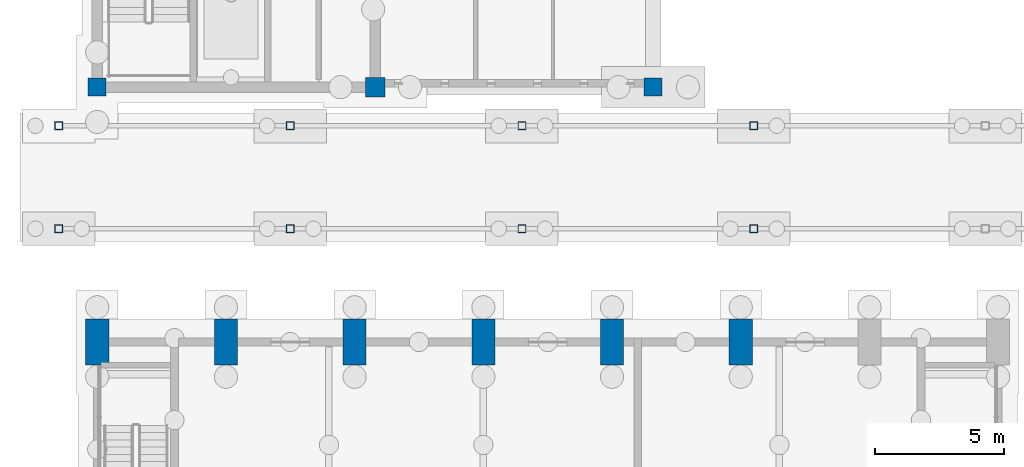
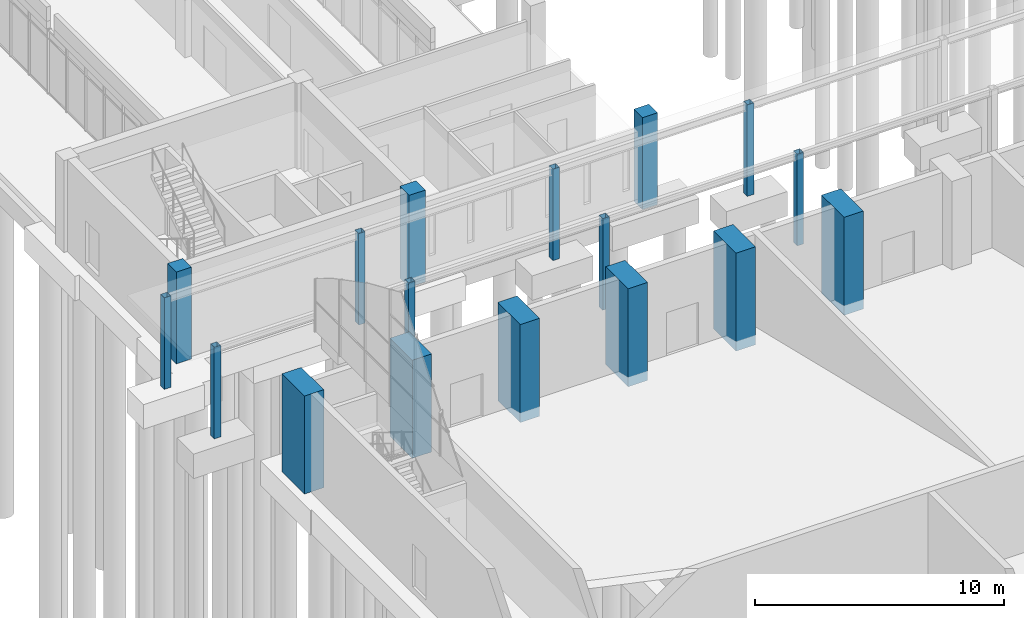
# One storey, part 11 of 106: 17 columns.
"""IFC4 building model written with IfcOpenShell, lengths in metres."""

from ifc_helpers import new_model, si_unit, direction, frame, origin, origin_2d, place, context, subcontext, project, spatial, rectangle, hollow_rectangle, extrude, material, material_profile, profile_set, type_object, element, save


model = new_model("IFC4")

# Units and contexts
model_context = context("Model", 3, precision=1e-05, world=origin(), true_north=direction((0.0, 1.0)))
body_context = subcontext(model_context, "Body", "Model", "MODEL_VIEW")
ifc_project = project(units=[si_unit("LENGTHUNIT", "METRE"), si_unit("AREAUNIT", "SQUARE_METRE"), si_unit("VOLUMEUNIT", "CUBIC_METRE"), si_unit("PLANEANGLEUNIT", "RADIAN"), si_unit("MASSUNIT", "GRAM", prefix="KILO")], contexts=[model_context])

# Site, building, storey
site_placement = place(None, origin())
site = spatial("IfcSite", under=ifc_project, at=site_placement, CompositionType="ELEMENT")
building_placement = place(site_placement, origin())
building = spatial("IfcBuilding", under=site, at=building_placement, Name="Merrow Basin Faculty of Sciences", CompositionType="ELEMENT")
storey_placement = place(building_placement, origin())
storey = spatial("IfcBuildingStorey", under=building, at=storey_placement, Name="L00", CompositionType="ELEMENT", Elevation=0.0)

# Columns
ifc_material_1 = material(Name="Steel ASTM A500 Gr C", Category="steel")
ifc_material_profile_1 = material_profile(ifc_material_1, hollow_rectangle(XDim=0.304931640625, YDim=0.304931640625, WallThickness=0.0126953125, at=origin_2d()))
ifc_profile_set_1 = profile_set([ifc_material_profile_1], Name="Steel ASTM A500 Gr C")
column_type_1 = type_object("IfcColumnType", Name="Canopy column HSS305x305x12.7", PredefinedType="COLUMN", material=ifc_profile_set_1)
for number, where, z_axis, x_axis, name in (
    (1, (-1.5, 55.5, -0.300048828125), (0.0, 0.0, 1.0), (1.0, 0.0, 0.0), "Canopy column P1"),
    (2, (-1.5, 59.5, -0.300048828125), (0.0, 0.0, 1.0), (1.0, 0.0, 0.0), "Canopy column P1"),
    (3, (7.5, 55.5, -0.300048828125), (0.0, 0.0, 1.0), (1.0, 0.0, 0.0), "Canopy column P1"),
    (4, (7.5, 59.5, -0.300048828125), (0.0, 0.0, 1.0), (1.0, 0.0, 0.0), "Canopy column P1"),
    (5, (16.5, 55.5, -0.300048828125), (0.0, 0.0, 1.0), (1.0, 0.0, 0.0), "Canopy column P1"),
    (6, (16.5, 59.5, -0.300048828125), (0.0, 0.0, 1.0), (1.0, 0.0, 0.0), "Canopy column P1"),
    (7, (25.5, 55.5, -0.300048828125), (0.0, 0.0, 1.0), (1.0, 0.0, 0.0), "Canopy column P1"),
    (8, (25.5, 59.5, -0.300048828125), (0.0, 0.0, 1.0), (1.0, 0.0, 0.0), "Canopy column P1"),
):
    element("IfcColumn", number, at=place(storey_placement, frame(where, z_axis=z_axis, x_axis=x_axis)), inside=storey, type_object=column_type_1, Name=name, PredefinedType="COLUMN", context=body_context, shape_type="SweptSolid", body=[
        extrude(hollow_rectangle(XDim=0.304931640625, YDim=0.304931640625, WallThickness=0.0126953125, at=origin_2d()), origin(), (0.0, 0.0, 1.0), 4.47998046875),
    ])
ifc_material_2 = material(Name="Concrete C40/50", Category="concrete")
ifc_material_profile_2 = material_profile(ifc_material_2, rectangle(XDim=0.699951171875, YDim=0.699951171875, at=origin_2d()))
ifc_profile_set_2 = profile_set([ifc_material_profile_2], Name="Concrete C40/50")
column_type_2 = type_object("IfcColumnType", Name="Column RC700x700 C40/50", PredefinedType="COLUMN", material=ifc_profile_set_2)
for number, where, z_axis, x_axis, name in (
    (9, (0.0, 61.0, -0.300048828125), (0.0, 0.0, 1.0), (1.0, 0.0, 0.0), "Column A1 L00"),
    (10, (21.60009765625, 61.0, -0.300048828125), (0.0, 0.0, 1.0), (1.0, 0.0, 0.0), "Column C1 L00"),
):
    element("IfcColumn", number, at=place(storey_placement, frame(where, z_axis=z_axis, x_axis=x_axis)), inside=storey, type_object=column_type_2, Name=name, PredefinedType="COLUMN", context=body_context, shape_type="SweptSolid", body=[
        extrude(rectangle(XDim=0.699951171875, YDim=0.699951171875, at=origin_2d()), origin(), (0.0, 0.0, 1.0), 4.5),
    ])
ifc_material_3 = material(Name="Concrete C40/50", Category="concrete")
ifc_material_profile_3 = material_profile(ifc_material_3, rectangle(XDim=0.75, YDim=0.75, at=origin_2d()))
ifc_profile_set_3 = profile_set([ifc_material_profile_3], Name="Concrete C40/50")
column_type_3 = type_object("IfcColumnType", Name="Column RC750x750 C40/50", PredefinedType="COLUMN", material=ifc_profile_set_3)
column_placement = place(storey_placement, frame((10.800048828125, 61.0, -0.300048828125), z_axis=(0.0, 0.0, 1.0), x_axis=(1.0, 0.0, 0.0)))
element("IfcColumn", 11, at=column_placement, inside=storey, type_object=column_type_3, Name="Column B1 L00", PredefinedType="COLUMN", context=body_context, shape_type="SweptSolid", body=[
    extrude(rectangle(XDim=0.75, YDim=0.75, at=origin_2d()), origin(), (0.0, 0.0, 1.0), 4.5),
])
ifc_material_4 = material(Name="Concrete C50/60", Category="concrete")
ifc_material_profile_4 = material_profile(ifc_material_4, rectangle(XDim=0.89990234375, YDim=1.800048828125, at=origin_2d()))
ifc_profile_set_4 = profile_set([ifc_material_profile_4], Name="Concrete C50/60")
column_type_4 = type_object("IfcColumnType", Name="Column RC900x1800 C50/60", PredefinedType="COLUMN", material=ifc_profile_set_4)
for number, where, z_axis, x_axis, name in (
    (12, (0.0, 51.10009765625, -0.300048828125), (0.0, 0.0, 1.0), (1.0, 0.0, 0.0), "Column A L00"),
    (13, (5.0, 51.10009765625, -0.300048828125), (0.0, 0.0, 1.0), (1.0, 0.0, 0.0), "Column K L00"),
    (14, (10.0, 51.10009765625, -0.300048828125), (0.0, 0.0, 1.0), (1.0, 0.0, 0.0), "Column L L00"),
    (15, (15.0, 51.10009765625, -0.300048828125), (0.0, 0.0, 1.0), (1.0, 0.0, 0.0), "Column M L00"),
    (16, (20.0, 51.10009765625, -0.300048828125), (0.0, 0.0, 1.0), (1.0, 0.0, 0.0), "Column N L00"),
    (17, (25.0, 51.10009765625, -0.300048828125), (0.0, 0.0, 1.0), (1.0, 0.0, 0.0), "Column P L00"),
):
    element("IfcColumn", number, at=place(storey_placement, frame(where, z_axis=z_axis, x_axis=x_axis)), inside=storey, type_object=column_type_4, Name=name, PredefinedType="COLUMN", context=body_context, shape_type="SweptSolid", body=[
        extrude(rectangle(XDim=0.89990234375, YDim=1.800048828125, at=origin_2d()), origin(), (0.0, 0.0, 1.0), 4.800048828125),
    ])

save(model, "model.ifc")
